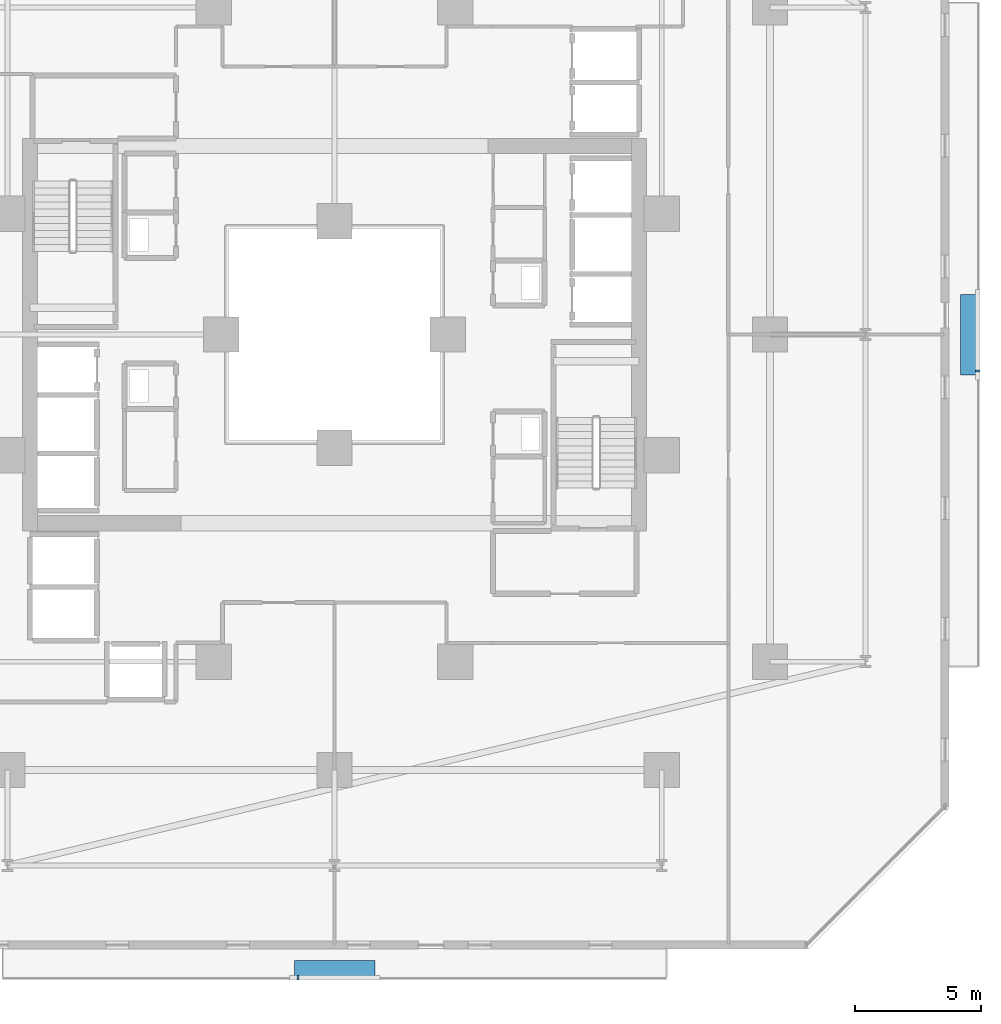
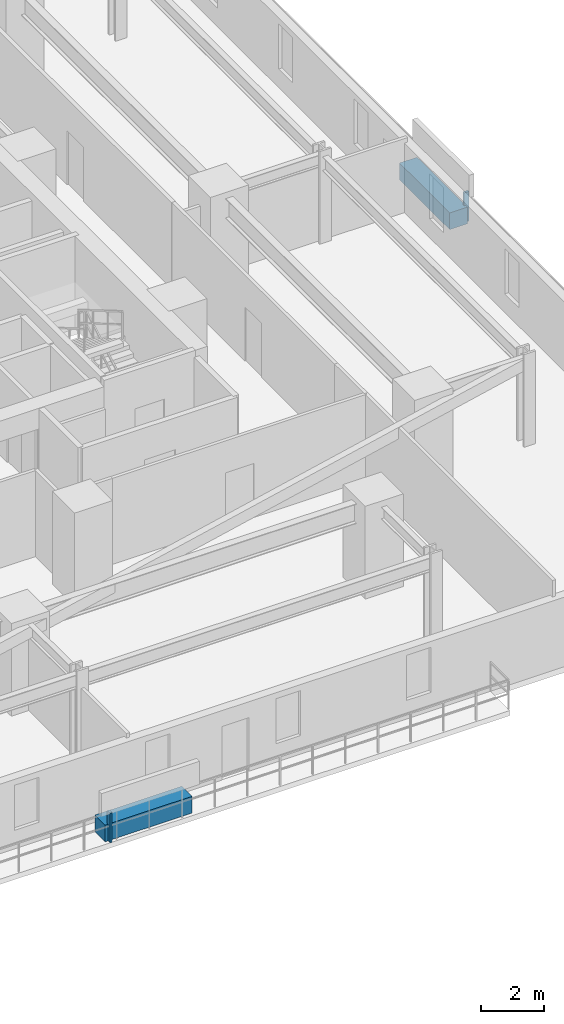
# One storey, part 28 of 33: 4 discrete accessories.
"""IFC4 building model written with IfcOpenShell, lengths in metres."""

from ifc_helpers import new_model, si_unit, direction, frame, origin, origin_2d, place, context, subcontext, project, spatial, rectangle, extrude, material, type_object, element, save


model = new_model("IFC4")

# Units and contexts
model_context = context("Model", 3, precision=1e-05, world=origin(), true_north=direction((0.0, 1.0)))
body_context = subcontext(model_context, "Body", "Model", "MODEL_VIEW")
ifc_project = project(units=[si_unit("LENGTHUNIT", "METRE"), si_unit("AREAUNIT", "SQUARE_METRE"), si_unit("VOLUMEUNIT", "CUBIC_METRE"), si_unit("PLANEANGLEUNIT", "RADIAN"), si_unit("MASSUNIT", "GRAM", prefix="KILO")], contexts=[model_context])

# Site, building, storey
site_placement = place(None, origin())
site = spatial("IfcSite", under=ifc_project, at=site_placement, CompositionType="ELEMENT")
building_placement = place(site_placement, origin())
building = spatial("IfcBuilding", under=site, at=building_placement, Name="Thornwick Lancets Civic Towers", CompositionType="ELEMENT")
storey_placement = place(building_placement, frame((0.0, 0.0, 35.10009765625)))
storey = spatial("IfcBuildingStorey", under=building, at=storey_placement, Name="L08", CompositionType="ELEMENT", Elevation=35.10009765625)

# Discrete accessories
ifc_material_1 = material(Name="Planted terracotta greenery planter", Category="masonry")
discrete_accessory_type_1 = type_object("IfcDiscreteAccessoryType", Name="ACC_PLANTER_BOX", PredefinedType="USERDEFINED", material=ifc_material_1)
discrete_accessory_1_placement = place(storey_placement, frame((88.5, 1.800048828125, 0.0), z_axis=(0.0, 0.0, 1.0), x_axis=(1.0, 0.0, 0.0)))
element("IfcDiscreteAccessory", 1, at=discrete_accessory_1_placement, inside=storey, type_object=discrete_accessory_type_1, Name="L08 Tower B Balcony Greenery Planter S", ObjectType="PLANTER", PredefinedType="USERDEFINED", context=body_context, shape_type="SweptSolid", body=[
    extrude(rectangle(XDim=3.199951171875, YDim=0.64990234375, at=origin_2d()), origin(), (0.0, 0.0, 1.0), 0.64990234375),
])
discrete_accessory_2_placement = place(storey_placement, frame((113.699951171875, 27.0, 0.0), z_axis=(0.0, 0.0, 1.0), x_axis=(1.0, 0.0, 0.0)))
element("IfcDiscreteAccessory", 2, at=discrete_accessory_2_placement, inside=storey, type_object=discrete_accessory_type_1, Name="L08 Tower B Balcony Greenery Planter E", ObjectType="PLANTER", PredefinedType="USERDEFINED", context=body_context, shape_type="SweptSolid", body=[
    extrude(rectangle(XDim=0.64990234375, YDim=3.199951171875, at=origin_2d()), origin(), (0.0, 0.0, 1.0), 0.64990234375),
])
ifc_material_2 = material(Name="Stainless steel S355", Category="steel")
discrete_accessory_type_2 = type_object("IfcDiscreteAccessoryType", Name="ACC_SCREEN_BRACKET", PredefinedType="BRACKET", material=ifc_material_2)
for number, where, z_axis, x_axis, name in (
    (3, (87.050048828125, 1.43994140625, 0.0), (0.0, 0.0, 1.0), (1.0, 0.0, 0.0), "L08 Tower B Balcony Screen Stanchion Bracket S-1"),
    (4, (114.06005859375, 25.550048828125, 0.0), (0.0, 0.0, 1.0), (0.0, 1.0, 0.0), "L08 Tower B Balcony Screen Stanchion Bracket E-1"),
):
    element("IfcDiscreteAccessory", number, at=place(storey_placement, frame(where, z_axis=z_axis, x_axis=x_axis)), inside=storey, type_object=discrete_accessory_type_2, Name=name, PredefinedType="BRACKET", context=body_context, shape_type="SweptSolid", body=[
        extrude(rectangle(XDim=0.080078125, YDim=0.179931640625, at=origin_2d()), origin(), (0.0, 0.0, 1.0), 1.14990234375),
    ])

save(model, "model.ifc")
